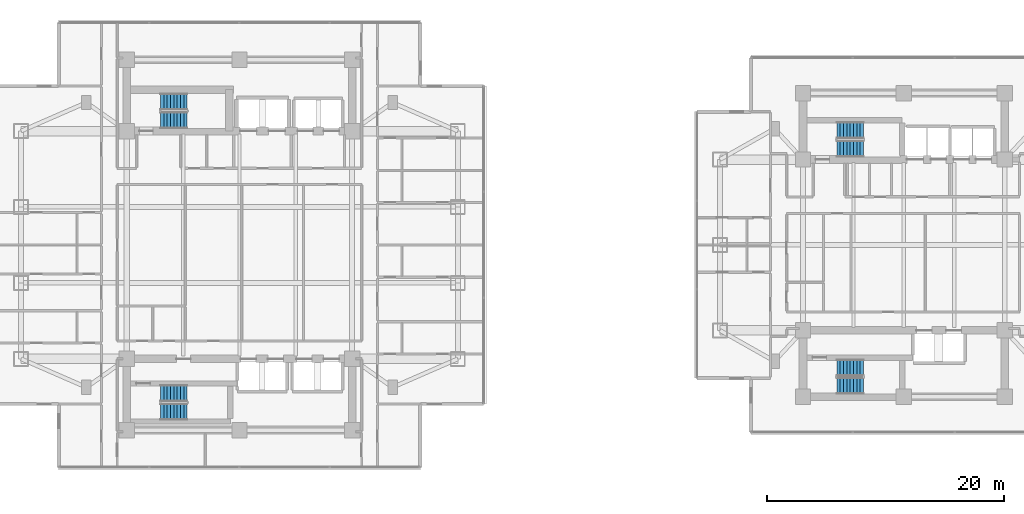
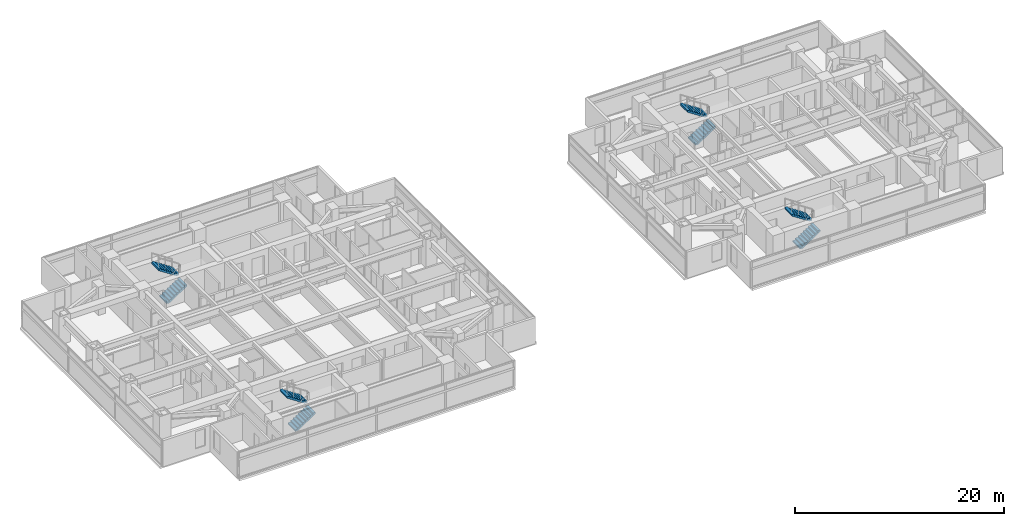
# One storey, part 21 of 27: 8 stair flights, 4 elements without a shape of their own.
"""IFC4 building model written with IfcOpenShell, lengths in metres."""

from ifc_helpers import new_model, si_unit, direction, frame, origin, place, context, subcontext, project, spatial, polyline, outline, extrude, material, type_object, element, aggregate, save


model = new_model("IFC4")

# Units and contexts
model_context = context("Model", 3, precision=1e-05, world=origin(), true_north=direction((0.0, 1.0)))
body_context = subcontext(model_context, "Body", "Model", "MODEL_VIEW")
ifc_project = project(units=[si_unit("LENGTHUNIT", "METRE"), si_unit("AREAUNIT", "SQUARE_METRE"), si_unit("VOLUMEUNIT", "CUBIC_METRE"), si_unit("PLANEANGLEUNIT", "RADIAN"), si_unit("MASSUNIT", "GRAM", prefix="KILO")], contexts=[model_context])

# Site, building, storey
site_placement = place(None, origin())
site = spatial("IfcSite", under=ifc_project, at=site_placement, CompositionType="ELEMENT")
building_placement = place(site_placement, origin())
building = spatial("IfcBuilding", under=site, at=building_placement, Name="Mirazonda Arch Towers", CompositionType="ELEMENT")
storey_placement = place(building_placement, frame((0.0, 0.0, 52.10009765625)))
storey = spatial("IfcBuildingStorey", under=building, at=storey_placement, Name="L14", CompositionType="ELEMENT", Elevation=52.10009765625)

# Stair, stair flights
ifc_material = material(Name="Concrete C40/50", Category="concrete")
stair_type = type_object("IfcStairType", Name="STAIR-CORE-1400", PredefinedType="HALF_TURN_STAIR", material=ifc_material)
stair_1_placement = place(storey_placement, origin())
stair_1 = element("IfcStair", 1, at=stair_1_placement, inside=storey, type_object=stair_type, Name="L14 Protected Exit Stair ST-T1N", PredefinedType="HALF_TURN_STAIR")
stair_flight_type = type_object("IfcStairFlightType", Name="FLIGHT-1400", PredefinedType="STRAIGHT", material=ifc_material)
stair_flight_1_placement = place(storey_placement, frame((13.85009765625, 38.52001953125, 0.0), z_axis=(0.0, 0.0, 1.0), x_axis=(1.0, 0.0, 0.0)))
stair_flight_1 = element("IfcStairFlight", 2, at=stair_flight_1_placement, type_object=stair_flight_type, Name="ST-T1N flight 1", NumberOfRisers=9, NumberOfTreads=8, PredefinedType="STRAIGHT", RiserHeight=0.183333333, TreadLength=0.28, context=body_context, shape_type="SweptSolid", body=[
    extrude(outline(polyline([(0.0, 0.0), (0.0, 0.183349609375), (0.280029296875, 0.183349609375), (0.280029296875, 0.36669921875), (0.56005859375, 0.36669921875), (0.56005859375, 0.550048828125), (0.840087890625, 0.550048828125), (0.840087890625, 0.7333984375), (1.1201171875, 0.7333984375), (1.1201171875, 0.916748046875), (1.39990234375, 0.916748046875), (1.39990234375, 1.10009765625), (1.679931640625, 1.10009765625), (1.679931640625, 1.283447265625), (1.9599609375, 1.283447265625), (1.9599609375, 1.466552734375), (2.239990234375, 1.466552734375), (2.239990234375, 1.64990234375), (2.239990234375, 1.275634765625), (0.2919921875, 0.0), (0.0, 0.0)])), frame((0.0, 0.699951171875, 0.0), z_axis=(0.0, -1.0, 0.0), x_axis=(1.0, 0.0, 0.0)), (0.0, 0.0, 1.0), 1.39990234375),
])
stair_flight_2_placement = place(storey_placement, frame((16.090087890625, 40.06005859375, 1.64990234375), z_axis=(0.0, 0.0, 1.0), x_axis=(-1.0, 0.0, 0.0)))
stair_flight_2 = element("IfcStairFlight", 3, at=stair_flight_2_placement, type_object=stair_flight_type, Name="ST-T1N flight 2", NumberOfRisers=9, NumberOfTreads=8, PredefinedType="STRAIGHT", RiserHeight=0.183333333, TreadLength=0.28, context=body_context, shape_type="SweptSolid", body=[
    extrude(outline(polyline([(0.0, 0.0), (0.0, 0.183349609375), (0.280029296875, 0.183349609375), (0.280029296875, 0.36669921875), (0.56005859375, 0.36669921875), (0.56005859375, 0.550048828125), (0.840087890625, 0.550048828125), (0.840087890625, 0.7333984375), (1.1201171875, 0.7333984375), (1.1201171875, 0.916748046875), (1.39990234375, 0.916748046875), (1.39990234375, 1.10009765625), (1.679931640625, 1.10009765625), (1.679931640625, 1.283447265625), (1.9599609375, 1.283447265625), (1.9599609375, 1.466552734375), (2.239990234375, 1.466552734375), (2.239990234375, 1.64990234375), (2.239990234375, 1.275634765625), (0.2919921875, 0.0), (0.0, 0.0)])), frame((0.0, 0.699951171875, 0.0), z_axis=(0.0, -1.0, 0.0), x_axis=(1.0, 0.0, 0.0)), (0.0, 0.0, 1.0), 1.39990234375),
])
aggregate(stair_1, [stair_flight_1, stair_flight_2])

stair_2_placement = place(storey_placement, origin())
stair_2 = element("IfcStair", 4, at=stair_2_placement, inside=storey, type_object=stair_type, Name="L14 Protected Exit Stair ST-T1S", PredefinedType="HALF_TURN_STAIR")
stair_flight_3_placement = place(storey_placement, frame((13.85009765625, 13.949951171875, 0.0), z_axis=(0.0, 0.0, 1.0), x_axis=(1.0, 0.0, 0.0)))
stair_flight_3 = element("IfcStairFlight", 5, at=stair_flight_3_placement, type_object=stair_flight_type, Name="ST-T1S flight 1", NumberOfRisers=9, NumberOfTreads=8, PredefinedType="STRAIGHT", RiserHeight=0.183333333, TreadLength=0.28, context=body_context, shape_type="SweptSolid", body=[
    extrude(outline(polyline([(0.0, 0.0), (0.0, 0.183349609375), (0.280029296875, 0.183349609375), (0.280029296875, 0.36669921875), (0.56005859375, 0.36669921875), (0.56005859375, 0.550048828125), (0.840087890625, 0.550048828125), (0.840087890625, 0.7333984375), (1.1201171875, 0.7333984375), (1.1201171875, 0.916748046875), (1.39990234375, 0.916748046875), (1.39990234375, 1.10009765625), (1.679931640625, 1.10009765625), (1.679931640625, 1.283447265625), (1.9599609375, 1.283447265625), (1.9599609375, 1.466552734375), (2.239990234375, 1.466552734375), (2.239990234375, 1.64990234375), (2.239990234375, 1.275634765625), (0.2919921875, 0.0), (0.0, 0.0)])), frame((0.0, 0.699951171875, 0.0), z_axis=(0.0, -1.0, 0.0), x_axis=(1.0, 0.0, 0.0)), (0.0, 0.0, 1.0), 1.39990234375),
])
stair_flight_4_placement = place(storey_placement, frame((16.090087890625, 15.489990234375, 1.64990234375), z_axis=(0.0, 0.0, 1.0), x_axis=(-1.0, 0.0, 0.0)))
stair_flight_4 = element("IfcStairFlight", 6, at=stair_flight_4_placement, type_object=stair_flight_type, Name="ST-T1S flight 2", NumberOfRisers=9, NumberOfTreads=8, PredefinedType="STRAIGHT", RiserHeight=0.183333333, TreadLength=0.28, context=body_context, shape_type="SweptSolid", body=[
    extrude(outline(polyline([(0.0, 0.0), (0.0, 0.183349609375), (0.280029296875, 0.183349609375), (0.280029296875, 0.36669921875), (0.56005859375, 0.36669921875), (0.56005859375, 0.550048828125), (0.840087890625, 0.550048828125), (0.840087890625, 0.7333984375), (1.1201171875, 0.7333984375), (1.1201171875, 0.916748046875), (1.39990234375, 0.916748046875), (1.39990234375, 1.10009765625), (1.679931640625, 1.10009765625), (1.679931640625, 1.283447265625), (1.9599609375, 1.283447265625), (1.9599609375, 1.466552734375), (2.239990234375, 1.466552734375), (2.239990234375, 1.64990234375), (2.239990234375, 1.275634765625), (0.2919921875, 0.0), (0.0, 0.0)])), frame((0.0, 0.699951171875, 0.0), z_axis=(0.0, -1.0, 0.0), x_axis=(1.0, 0.0, 0.0)), (0.0, 0.0, 1.0), 1.39990234375),
])
aggregate(stair_2, [stair_flight_3, stair_flight_4])

stair_3_placement = place(storey_placement, origin())
stair_3 = element("IfcStair", 7, at=stair_3_placement, inside=storey, type_object=stair_type, Name="L14 Protected Exit Stair ST-T2N", PredefinedType="HALF_TURN_STAIR")
stair_flight_5_placement = place(storey_placement, frame((70.85009765625, 36.1201171875, 0.0), z_axis=(0.0, 0.0, 1.0), x_axis=(1.0, 0.0, 0.0)))
stair_flight_5 = element("IfcStairFlight", 8, at=stair_flight_5_placement, type_object=stair_flight_type, Name="ST-T2N flight 1", NumberOfRisers=9, NumberOfTreads=8, PredefinedType="STRAIGHT", RiserHeight=0.183333333, TreadLength=0.28, context=body_context, shape_type="SweptSolid", body=[
    extrude(outline(polyline([(0.0, 0.0), (0.0, 0.183349609375), (0.280029296875, 0.183349609375), (0.280029296875, 0.36669921875), (0.56005859375, 0.36669921875), (0.56005859375, 0.550048828125), (0.840087890625, 0.550048828125), (0.840087890625, 0.7333984375), (1.1201171875, 0.7333984375), (1.1201171875, 0.916748046875), (1.39990234375, 0.916748046875), (1.39990234375, 1.10009765625), (1.679931640625, 1.10009765625), (1.679931640625, 1.283447265625), (1.9599609375, 1.283447265625), (1.9599609375, 1.466552734375), (2.239990234375, 1.466552734375), (2.239990234375, 1.64990234375), (2.239990234375, 1.275634765625), (0.2919921875, 0.0), (0.0, 0.0)])), frame((0.0, 0.699951171875, 0.0), z_axis=(0.0, -1.0, 0.0), x_axis=(1.0, 0.0, 0.0)), (0.0, 0.0, 1.0), 1.39990234375),
])
stair_flight_6_placement = place(storey_placement, frame((73.090087890625, 37.659912109375, 1.64990234375), z_axis=(0.0, 0.0, 1.0), x_axis=(-1.0, 0.0, 0.0)))
stair_flight_6 = element("IfcStairFlight", 9, at=stair_flight_6_placement, type_object=stair_flight_type, Name="ST-T2N flight 2", NumberOfRisers=9, NumberOfTreads=8, PredefinedType="STRAIGHT", RiserHeight=0.183333333, TreadLength=0.28, context=body_context, shape_type="SweptSolid", body=[
    extrude(outline(polyline([(0.0, 0.0), (0.0, 0.183349609375), (0.280029296875, 0.183349609375), (0.280029296875, 0.36669921875), (0.56005859375, 0.36669921875), (0.56005859375, 0.550048828125), (0.840087890625, 0.550048828125), (0.840087890625, 0.7333984375), (1.1201171875, 0.7333984375), (1.1201171875, 0.916748046875), (1.39990234375, 0.916748046875), (1.39990234375, 1.10009765625), (1.679931640625, 1.10009765625), (1.679931640625, 1.283447265625), (1.9599609375, 1.283447265625), (1.9599609375, 1.466552734375), (2.239990234375, 1.466552734375), (2.239990234375, 1.64990234375), (2.239990234375, 1.275634765625), (0.2919921875, 0.0), (0.0, 0.0)])), frame((0.0, 0.699951171875, 0.0), z_axis=(0.0, -1.0, 0.0), x_axis=(1.0, 0.0, 0.0)), (0.0, 0.0, 1.0), 1.39990234375),
])
aggregate(stair_3, [stair_flight_5, stair_flight_6])

stair_4_placement = place(storey_placement, origin())
stair_4 = element("IfcStair", 10, at=stair_4_placement, inside=storey, type_object=stair_type, Name="L14 Protected Exit Stair ST-T2S", PredefinedType="HALF_TURN_STAIR")
stair_flight_7_placement = place(storey_placement, frame((70.85009765625, 16.1201171875, 0.0), z_axis=(0.0, 0.0, 1.0), x_axis=(1.0, 0.0, 0.0)))
stair_flight_7 = element("IfcStairFlight", 11, at=stair_flight_7_placement, type_object=stair_flight_type, Name="ST-T2S flight 1", NumberOfRisers=9, NumberOfTreads=8, PredefinedType="STRAIGHT", RiserHeight=0.183333333, TreadLength=0.28, context=body_context, shape_type="SweptSolid", body=[
    extrude(outline(polyline([(0.0, 0.0), (0.0, 0.183349609375), (0.280029296875, 0.183349609375), (0.280029296875, 0.36669921875), (0.56005859375, 0.36669921875), (0.56005859375, 0.550048828125), (0.840087890625, 0.550048828125), (0.840087890625, 0.7333984375), (1.1201171875, 0.7333984375), (1.1201171875, 0.916748046875), (1.39990234375, 0.916748046875), (1.39990234375, 1.10009765625), (1.679931640625, 1.10009765625), (1.679931640625, 1.283447265625), (1.9599609375, 1.283447265625), (1.9599609375, 1.466552734375), (2.239990234375, 1.466552734375), (2.239990234375, 1.64990234375), (2.239990234375, 1.275634765625), (0.2919921875, 0.0), (0.0, 0.0)])), frame((0.0, 0.699951171875, 0.0), z_axis=(0.0, -1.0, 0.0), x_axis=(1.0, 0.0, 0.0)), (0.0, 0.0, 1.0), 1.39990234375),
])
stair_flight_8_placement = place(storey_placement, frame((73.090087890625, 17.659912109375, 1.64990234375), z_axis=(0.0, 0.0, 1.0), x_axis=(-1.0, 0.0, 0.0)))
stair_flight_8 = element("IfcStairFlight", 12, at=stair_flight_8_placement, type_object=stair_flight_type, Name="ST-T2S flight 2", NumberOfRisers=9, NumberOfTreads=8, PredefinedType="STRAIGHT", RiserHeight=0.183333333, TreadLength=0.28, context=body_context, shape_type="SweptSolid", body=[
    extrude(outline(polyline([(0.0, 0.0), (0.0, 0.183349609375), (0.280029296875, 0.183349609375), (0.280029296875, 0.36669921875), (0.56005859375, 0.36669921875), (0.56005859375, 0.550048828125), (0.840087890625, 0.550048828125), (0.840087890625, 0.7333984375), (1.1201171875, 0.7333984375), (1.1201171875, 0.916748046875), (1.39990234375, 0.916748046875), (1.39990234375, 1.10009765625), (1.679931640625, 1.10009765625), (1.679931640625, 1.283447265625), (1.9599609375, 1.283447265625), (1.9599609375, 1.466552734375), (2.239990234375, 1.466552734375), (2.239990234375, 1.64990234375), (2.239990234375, 1.275634765625), (0.2919921875, 0.0), (0.0, 0.0)])), frame((0.0, 0.699951171875, 0.0), z_axis=(0.0, -1.0, 0.0), x_axis=(1.0, 0.0, 0.0)), (0.0, 0.0, 1.0), 1.39990234375),
])
aggregate(stair_4, [stair_flight_7, stair_flight_8])

save(model, "model.ifc")
